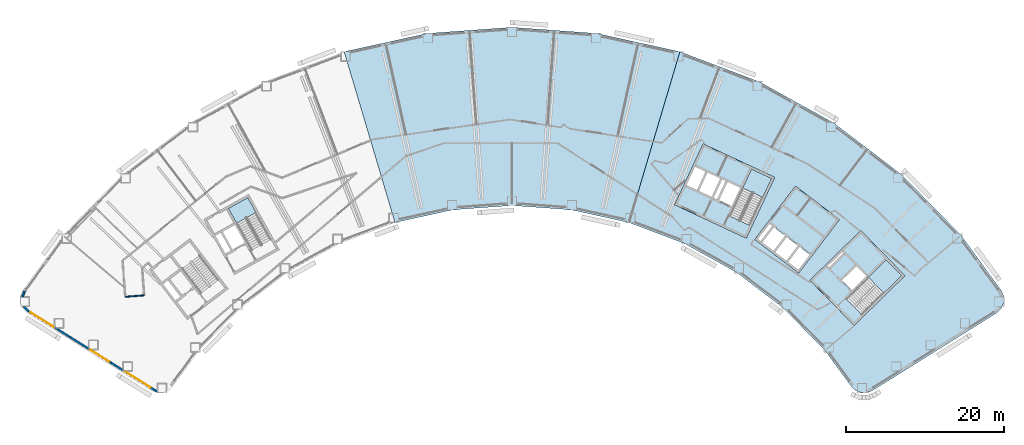
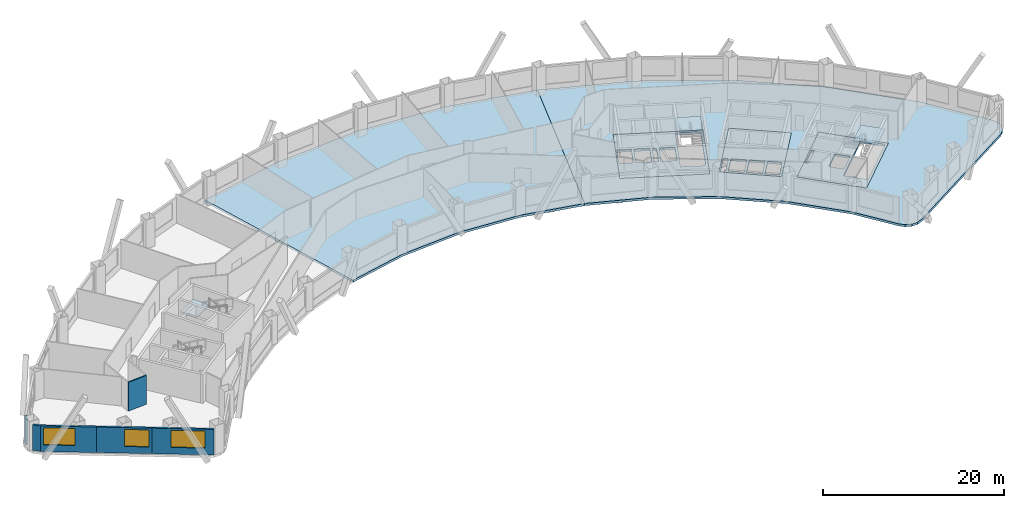
# One storey, part 2 of 11: 8 slabs, 6 walls, 3 windows, 3 openings, 3 elements without a shape of their own.
"""IFC4 building model written with IfcOpenShell, lengths in metres."""

import ifcopenshell
import ifcopenshell.guid

model = None  # the IFC model being written
_history = None  # IfcOwnerHistory: only IFC2X3 demands one
_inside = {}  # id of a spatial element -> (the spatial element, [elements in it])
_under = {}  # id of a project, library or spatial element -> (it, [spatial elements below it])
_declared = {}  # id of a project -> (the project, [libraries it declares])
_typed = {}  # id of a type object -> (the type object, [elements of that type])
_made_of = {}  # id of a material, layer set ... -> (it, [elements and type objects made of it])


def new_model(schema):
    """Start an empty IFC model of exactly this schema.

    Asked for "IFC4X3", IfcOpenShell would pick the latest addendum, in which some entities
    have other attributes; the version numbers below select the first issue.
    IFC2X3 requires an IfcOwnerHistory on every rooted entity: one is made here for all.
    """
    global model, _history
    if schema == "IFC4X3":
        model = ifcopenshell.file(schema_version=(4, 3, 0, 0))
    else:
        model = ifcopenshell.file(schema=schema)
    _inside.clear()
    _under.clear()
    _declared.clear()
    _typed.clear()
    _made_of.clear()
    _history = None
    if model.schema == "IFC2X3":
        org = make("IfcOrganization", Name="unknown")
        user = make(
            "IfcPersonAndOrganization",
            ThePerson=make("IfcPerson", FamilyName="unknown"),
            TheOrganization=org,
        )
        app = make(
            "IfcApplication",
            ApplicationDeveloper=org,
            Version="unknown",
            ApplicationFullName="unknown",
            ApplicationIdentifier="unknown",
        )
        _history = make(
            "IfcOwnerHistory",
            OwningUser=user,
            OwningApplication=app,
            ChangeAction="ADDED",
            CreationDate=0,
        )
    return model


def make(cls, **values):
    """One entity of the class cls with the attributes given. An attribute that is None is left unset."""
    return model.create_entity(
        cls, **{name: value for name, value in values.items() if value is not None}
    )


def rooted(cls, **values):
    """An entity with a GlobalId (a new one), such as an element, a storey or a relation."""
    return make(cls, GlobalId=ifcopenshell.guid.new(), OwnerHistory=_history, **values)


def si_unit(unit_type, name, prefix=None):
    """IfcSIUnit, for example si_unit("LENGTHUNIT", "METRE", prefix="MILLI")."""
    return make("IfcSIUnit", UnitType=unit_type, Prefix=prefix, Name=name)


def assignment(units):
    """IfcUnitAssignment: the units of a project."""
    return None if units is None else make("IfcUnitAssignment", Units=units)


def point(xyz):
    """IfcCartesianPoint."""
    return None if xyz is None else make("IfcCartesianPoint", Coordinates=xyz)


def direction(xyz):
    """IfcDirection."""
    return None if xyz is None else make("IfcDirection", DirectionRatios=xyz)


def frame(location, z_axis=None, x_axis=None):
    """IfcAxis2Placement3D, a coordinate frame: its origin and axes. An axis left out is left unset."""
    return make(
        "IfcAxis2Placement3D",
        Location=point(location),
        Axis=direction(z_axis),
        RefDirection=direction(x_axis),
    )


def frame_2d(location, x_axis=None):
    """IfcAxis2Placement2D, a coordinate frame in the plane: its origin and x axis."""
    return make(
        "IfcAxis2Placement2D", Location=point(location), RefDirection=direction(x_axis)
    )


def origin():
    """The frame at (0, 0, 0) with its axes left unset."""
    return frame((0.0, 0.0, 0.0))


def place(relative_to, where):
    """IfcLocalPlacement: puts the frame where relative to a parent placement (None: the world)."""
    return make(
        "IfcLocalPlacement", PlacementRelTo=relative_to, RelativePlacement=where
    )


def context(
    kind, dimensions, precision=None, world=None, true_north=None, identifier=None
):
    """IfcGeometricRepresentationContext, for example the 3D "Model" context."""
    return make(
        "IfcGeometricRepresentationContext",
        ContextIdentifier=identifier,
        ContextType=kind,
        CoordinateSpaceDimension=dimensions,
        Precision=precision,
        WorldCoordinateSystem=world,
        TrueNorth=true_north,
    )


def subcontext(parent, identifier, kind, view, scale=None):
    """IfcGeometricRepresentationSubContext, for example "Body" below "Model"."""
    return make(
        "IfcGeometricRepresentationSubContext",
        ContextIdentifier=identifier,
        ContextType=kind,
        ParentContext=parent,
        TargetScale=scale,
        TargetView=view,
    )


def project(units=None, contexts=None):
    """IfcProject with its units and contexts."""
    return rooted(
        "IfcProject",
        Name="project",
        RepresentationContexts=contexts,
        UnitsInContext=assignment(units),
    )


def spatial(cls, under=None, at=None, **own):
    """A site, building, storey or space (cls), placed at a placement, below another one or the project."""
    s = rooted(cls, ObjectPlacement=at, **own)
    if under is not None:
        _under.setdefault(under.id(), (under, []))[1].append(s)
    return s


def polyline(points):
    """IfcPolyline through the points."""
    return make("IfcPolyline", Points=[point(p) for p in points])


def profile(cls, at=None, kind="AREA", **sizes):
    """A parametric profile (cls). Its sizes go by their IFC names, for example OverallWidth=200.0."""
    return make(cls, ProfileType=kind, Position=at, **sizes)


def rectangle(**sizes):
    """IfcRectangleProfileDef."""
    return profile("IfcRectangleProfileDef", **sizes)


def outline(outer, holes=None, kind="AREA"):
    """IfcArbitraryClosedProfileDef: a profile drawn as a closed curve; with holes, ...WithVoids."""
    if holes is None:
        return make("IfcArbitraryClosedProfileDef", ProfileType=kind, OuterCurve=outer)
    return make(
        "IfcArbitraryProfileDefWithVoids",
        ProfileType=kind,
        OuterCurve=outer,
        InnerCurves=holes,
    )


def extrude(swept, where, along, depth):
    """IfcExtrudedAreaSolid: the profile swept, set in the frame where, extruded along a direction by depth."""
    return make(
        "IfcExtrudedAreaSolid",
        SweptArea=swept,
        Position=where,
        ExtrudedDirection=direction(along),
        Depth=depth,
    )


def shape(context_of_items, identifier, shape_type, items):
    """IfcShapeRepresentation: the items that make up one representation, for example the "Body"."""
    return make(
        "IfcShapeRepresentation",
        ContextOfItems=context_of_items,
        RepresentationIdentifier=identifier,
        RepresentationType=shape_type,
        Items=items,
    )


def material(Name=None, Category=None):
    """IfcMaterial."""
    return make("IfcMaterial", Name=Name, Category=Category)


def layer(
    of_material, thickness, ventilated=None, Name=None, Category=None, Priority=None
):
    """IfcMaterialLayer: one layer of a wall or slab, of a material (None: an air gap)."""
    return make(
        "IfcMaterialLayer",
        Material=of_material,
        LayerThickness=thickness,
        IsVentilated=ventilated,
        Name=Name,
        Category=Category,
        Priority=Priority,
    )


def layer_set(layers, Name=None):
    """IfcMaterialLayerSet."""
    return make("IfcMaterialLayerSet", MaterialLayers=layers, LayerSetName=Name)


def made_of(thing, what):
    """Note that an element or type object is made of a material, layer set ...; save() writes the relation."""
    if what is not None:
        _made_of.setdefault(what.id(), (what, []))[1].append(thing)
    return thing


def type_object(cls, material=None, **own):
    """A type object (cls), such as IfcWallType, which elements share."""
    return made_of(rooted(cls, **own), material)


def element(
    cls,
    number,
    at=None,
    inside=None,
    cuts=None,
    type_object=None,
    material=None,
    context=None,
    identifier="Body",
    shape_type=None,
    held_by="IfcProductDefinitionShape",
    body=None,
    shapes=None,
    **own,
):
    """One element of the class cls, such as IfcWall. Its Tag is "e" and its number.

    at: its placement. inside: the storey or other place that contains it. cuts: it is an
    opening in that element (IfcRelVoidsElement). A single representation is given by context,
    identifier, shape_type and body (its items); several are given by shapes. held_by: the class
    of the entity that holds the representations. save() writes the other relations.
    """
    e = rooted(cls, Tag="e%d" % number, ObjectPlacement=at, **own)
    if body is not None:
        shapes = [shape(context, identifier, shape_type, body)]
    if shapes is not None:
        e.Representation = make(held_by, Representations=shapes)
    if inside is not None:
        _inside.setdefault(inside.id(), (inside, []))[1].append(e)
    if cuts is not None:
        rooted(
            "IfcRelVoidsElement", RelatingBuildingElement=cuts, RelatedOpeningElement=e
        )
    if type_object is not None:
        _typed.setdefault(type_object.id(), (type_object, []))[1].append(e)
    return made_of(e, material)


def fill(opening, filler):
    """IfcRelFillsElement: the door or window that sits in an opening."""
    return rooted(
        "IfcRelFillsElement",
        RelatingOpeningElement=opening,
        RelatedBuildingElement=filler,
    )


def aggregate(whole, parts):
    """IfcRelAggregates: a whole, such as a stair, and the parts it consists of."""
    return rooted("IfcRelAggregates", RelatingObject=whole, RelatedObjects=parts)


def save(model, path):
    """Write the relations noted so far, then the file.

    IfcRelAggregates (storeys below a building ...), IfcRelContainedInSpatialStructure (elements
    in a storey), IfcRelDefinesByType, IfcRelAssociatesMaterial and IfcRelDeclares: one each for
    every whole, place, type object, material and project.
    """
    for whole, parts in _under.values():
        aggregate(whole, parts)
    for where, things in _inside.values():
        rooted(
            "IfcRelContainedInSpatialStructure",
            RelatedElements=things,
            RelatingStructure=where,
        )
    for kind, things in _typed.values():
        rooted("IfcRelDefinesByType", RelatedObjects=things, RelatingType=kind)
    for what, things in _made_of.values():
        rooted("IfcRelAssociatesMaterial", RelatedObjects=things, RelatingMaterial=what)
    for by, libraries in _declared.values():
        rooted("IfcRelDeclares", RelatingContext=by, RelatedDefinitions=libraries)
    model.write(path)


model = new_model("IFC4")

# Units and contexts
model_context = context("Model", 3, precision=1e-05, world=origin(), true_north=direction((0.0, 1.0)))
body_context = subcontext(model_context, "Body", "Model", "MODEL_VIEW")
ifc_project = project(units=[si_unit("LENGTHUNIT", "METRE"), si_unit("AREAUNIT", "SQUARE_METRE"), si_unit("VOLUMEUNIT", "CUBIC_METRE"), si_unit("PLANEANGLEUNIT", "RADIAN"), si_unit("MASSUNIT", "GRAM", prefix="KILO")], contexts=[model_context])

# Site, building, storey
site_placement = place(None, origin())
site = spatial("IfcSite", under=ifc_project, at=site_placement, CompositionType="ELEMENT")
building_placement = place(site_placement, origin())
building = spatial("IfcBuilding", under=site, at=building_placement, Name="Tuul Gate Civic Tower", CompositionType="ELEMENT")
storey_placement = place(building_placement, frame((0.0, 0.0, 65.39990234375)))
storey = spatial("IfcBuildingStorey", under=building, at=storey_placement, Name="Level 14", CompositionType="ELEMENT", Elevation=65.39990234375)

# Slabs
ifc_material_1 = material(Name="Concrete C40/50", Category="concrete")
ifc_layer_1 = layer(ifc_material_1, 0.300048828125)
ifc_layer_set_1 = layer_set([ifc_layer_1], Name="Concrete C40/50")
slab_type_1 = type_object("IfcSlabType", Name="Core floor slab 300", PredefinedType="FLOOR", material=ifc_layer_set_1)
slab_1_placement = place(storey_placement, frame((0.0, 0.0, -0.2998046875)))
element("IfcSlab", 1, at=slab_1_placement, inside=storey, type_object=slab_type_1, Name="FLOOR SLAB", PredefinedType="FLOOR", context=body_context, shape_type="SweptSolid", body=[
    extrude(outline(polyline([(48.117919921875, -18.43310546875), (54.545166015625, -12.1328125), (48.945068359375, -6.419921875), (42.517822265625, -12.719970703125), (48.117919921875, -18.43310546875)]), holes=[polyline([(47.808837890625, -13.974853515625), (49.6298828125, -12.18994140625), (48.40478515625, -10.940185546875), (46.583984375, -12.72509765625), (47.808837890625, -13.974853515625)]), polyline([(44.93896484375, -11.046875), (46.760009765625, -9.261962890625), (46.514892578125, -9.011962890625), (44.69384765625, -10.797119140625), (44.93896484375, -11.046875)]), polyline([(49.086181640625, -17.062744140625), (47.12744140625, -15.064208984375), (52.160888671875, -10.130126953125), (54.11962890625, -12.128662109375), (49.086181640625, -17.062744140625)])]), origin(), (0.0, 0.0, 1.0), 0.2998046875),
])
slab_2_placement = place(storey_placement, frame((0.0, 0.0, -0.2998046875)))
element("IfcSlab", 2, at=slab_2_placement, inside=storey, type_object=slab_type_1, Name="FLOOR SLAB", PredefinedType="FLOOR", context=body_context, shape_type="SweptSolid", body=[
    extrude(outline(polyline([(34.465087890625, -7.385986328125), (38.056884765625, 0.31787109375), (28.993896484375, 4.543701171875), (25.40185546875, -3.159912109375), (34.465087890625, -7.385986328125)]), holes=[polyline([(32.60888671875, -3.32080078125), (33.6865234375, -1.009765625), (32.1005859375, -0.27001953125), (31.02294921875, -2.581298828125), (32.60888671875, -3.32080078125)]), polyline([(30.0712890625, -2.137451171875), (31.14892578125, 0.173583984375), (29.562744140625, 0.9130859375), (28.4853515625, -1.39794921875), (30.0712890625, -2.137451171875)]), polyline([(30.751220703125, -2.454345703125), (31.82861328125, -0.143310546875), (31.4208984375, 0.046875), (30.34326171875, -2.264404296875), (30.751220703125, -2.454345703125)]), polyline([(28.21337890625, -1.27099609375), (29.291015625, 1.0400390625), (27.8408203125, 1.71630859375), (26.76318359375, -0.594970703125), (28.21337890625, -1.27099609375)]), polyline([(34.889892578125, -5.7626953125), (32.353759765625, -4.580078125), (35.120849609375, 1.354736328125), (37.6572265625, 0.17236328125), (34.889892578125, -5.7626953125)])]), origin(), (0.0, 0.0, 1.0), 0.2998046875),
])
ifc_material_2 = material(Name="Concrete C40/50", Category="concrete")
ifc_layer_2 = layer(ifc_material_2, 0.300048828125)
ifc_layer_set_2 = layer_set([ifc_layer_2], Name="Concrete C40/50")
slab_type_2 = type_object("IfcSlabType", Name="Core floor slab 300 non-bearing", PredefinedType="FLOOR", material=ifc_layer_set_2)
slab_3_placement = place(storey_placement, frame((0.0, 0.0, -0.2998046875)))
element("IfcSlab", 3, at=slab_3_placement, inside=storey, type_object=slab_type_2, Name="FLOOR SLAB", PredefinedType="FLOOR", context=body_context, shape_type="SweptSolid", body=[
    extrude(outline(polyline([(41.10107421875, -11.797119140625), (46.25, -5.033935546875), (40.680908203125, -0.79296875), (35.531982421875, -7.555908203125), (41.10107421875, -11.797119140625)]), holes=[polyline([(41.044189453125, -11.37646484375), (42.497802734375, -9.467041015625), (41.22509765625, -8.49755859375), (39.77099609375, -10.4072265625), (41.044189453125, -11.37646484375)]), polyline([(39.532470703125, -10.225341796875), (40.986328125, -8.31591796875), (39.593994140625, -7.255615234375), (38.14013671875, -9.165283203125), (39.532470703125, -10.225341796875)]), polyline([(37.901611328125, -8.9833984375), (39.35546875, -7.073974609375), (37.963134765625, -6.013671875), (36.50927734375, -7.923095703125), (37.901611328125, -8.9833984375)]), polyline([(36.1796875, -7.860595703125), (37.724609375, -5.831787109375), (37.286865234375, -5.49853515625), (35.7421875, -7.527587890625), (36.1796875, -7.860595703125)])]), origin(), (0.0, 0.0, 1.0), 0.2998046875),
])

# Stair, slab
ifc_material_3 = material(Name="Concrete C40/50", Category="concrete")
stair_type = type_object("IfcStairType", Name="Exit stair", PredefinedType="HALF_TURN_STAIR", material=ifc_material_3)
stair_1_placement = place(storey_placement, origin())
stair_1 = element("IfcStair", 4, at=stair_1_placement, inside=storey, type_object=stair_type, Name="Level 14 ST-2", PredefinedType="HALF_TURN_STAIR")
ifc_material_4 = material(Name="Concrete C40/50", Category="concrete")
ifc_layer_3 = layer(ifc_material_4, 0.199951171875)
ifc_layer_set_3 = layer_set([ifc_layer_3], Name="Concrete C40/50")
slab_type_3 = type_object("IfcSlabType", Name="Exit stair landing", PredefinedType="LANDING", material=ifc_layer_set_3)
slab_4_placement = place(storey_placement, frame((0.0, 0.0, 1.900146484375)))
slab_4 = element("IfcSlab", 5, at=slab_4_placement, type_object=slab_type_3, Name="ST-2 landing 1", PredefinedType="LANDING", context=body_context, shape_type="SweptSolid", body=[
    extrude(outline(polyline([(-27.5908203125, -4.138427734375), (-30.041015625, -5.49658203125), (-31.084228515625, -3.61474609375), (-28.6337890625, -2.256591796875), (-27.5908203125, -4.138427734375)])), origin(), (0.0, 0.0, 1.0), 0.199951171875),
])
aggregate(stair_1, [slab_4])

stair_2_placement = place(storey_placement, origin())
stair_2 = element("IfcStair", 6, at=stair_2_placement, inside=storey, type_object=stair_type, Name="Level 14 ST-3", PredefinedType="HALF_TURN_STAIR")
slab_5_placement = place(storey_placement, frame((0.0, 0.0, 1.900146484375)))
slab_5 = element("IfcSlab", 7, at=slab_5_placement, type_object=slab_type_3, Name="ST-3 landing 1", PredefinedType="LANDING", context=body_context, shape_type="SweptSolid", body=[
    extrude(outline(polyline([(51.871337890625, -14.3349609375), (49.91015625, -12.334228515625), (52.160888671875, -10.1279296875), (54.1220703125, -12.128662109375), (51.871337890625, -14.3349609375)])), origin(), (0.0, 0.0, 1.0), 0.199951171875),
])
aggregate(stair_2, [slab_5])

stair_3_placement = place(storey_placement, origin())
stair_3 = element("IfcStair", 8, at=stair_3_placement, inside=storey, type_object=stair_type, Name="Level 14 ST-4", PredefinedType="HALF_TURN_STAIR")
slab_6_placement = place(storey_placement, frame((0.0, 0.0, 1.900146484375)))
slab_6 = element("IfcSlab", 9, at=slab_6_placement, type_object=slab_type_3, Name="ST-4 landing 1", PredefinedType="LANDING", context=body_context, shape_type="SweptSolid", body=[
    extrude(outline(polyline([(36.538818359375, -2.230224609375), (33.999755859375, -1.046142578125), (35.1201171875, 1.35693359375), (37.659423828125, 0.173095703125), (36.538818359375, -2.230224609375)])), origin(), (0.0, 0.0, 1.0), 0.199951171875),
])
aggregate(stair_3, [slab_6])

# Slabs
ifc_material_5 = material(Name="Concrete C35/45", Category="concrete")
ifc_layer_4 = layer(ifc_material_5, 0.300048828125)
ifc_layer_set_4 = layer_set([ifc_layer_4], Name="Concrete C35/45")
slab_type_4 = type_object("IfcSlabType", Name="STR-FLOOR-SLAB-300", PredefinedType="FLOOR", material=ifc_layer_set_4)
slab_7_placement = place(storey_placement, frame((0.0, 0.0, -0.2998046875)))
element("IfcSlab", 10, at=slab_7_placement, inside=storey, type_object=slab_type_4, Name="Level 14/slab/M", PredefinedType="FLOOR", context=body_context, shape_type="SweptSolid", body=[
    extrude(outline(polyline([(19.6220703125, -5.407958984375), (26.055908203125, 16.214111328125), (15.5439453125, 18.531005859375), (4.80810546875, 19.30810546875), (-5.927978515625, 18.531005859375), (-16.43994140625, 16.214111328125), (-10.006103515625, -5.407958984375), (-2.677001953125, -3.79296875), (4.80810546875, -3.2509765625), (12.29296875, -3.79296875), (19.6220703125, -5.407958984375)])), origin(), (0.0, 0.0, 1.0), 0.2998046875),
])
slab_8_placement = place(storey_placement, frame((0.0, 0.0, -0.2998046875)))
element("IfcSlab", 11, at=slab_8_placement, inside=storey, type_object=slab_type_4, Name="Level 14/slab/E", PredefinedType="FLOOR", context=body_context, shape_type="SweptSolid", body=[
    extrude(outline(polyline([(49.739990234375, -26.950927734375), (50.43408203125, -26.680908203125), (66.1640625, -16.85205078125), (66.75390625, -16.2880859375), (67.068115234375, -15.534912109375), (67.055908203125, -14.718994140625), (66.719970703125, -13.97607421875), (61.638916015625, -7.02001953125), (54.10400390625, 0.6669921875), (45.5400390625, 7.18798828125), (36.125, 12.406982421875), (26.055908203125, 16.214111328125), (19.6220703125, -5.407958984375), (26.64208984375, -8.06298828125), (33.2060546875, -11.700927734375), (39.177001953125, -16.2470703125), (44.429931640625, -21.60693359375), (47.760009765625, -26.1650390625), (48.302978515625, -26.674072265625), (48.9951171875, -26.948974609375), (49.739990234375, -26.950927734375)]), holes=[polyline([(48.117919921875, -18.43310546875), (42.51806640625, -12.719970703125), (48.945068359375, -6.419921875), (54.544921875, -12.133056640625), (48.117919921875, -18.43310546875)]), polyline([(35.531982421875, -7.555908203125), (40.680908203125, -0.79296875), (46.25, -5.033935546875), (41.10107421875, -11.797119140625), (35.531982421875, -7.555908203125)]), polyline([(25.402099609375, -3.159912109375), (28.993896484375, 4.5439453125), (38.056884765625, 0.318115234375), (34.465087890625, -7.385986328125), (25.402099609375, -3.159912109375)])]), origin(), (0.0, 0.0, 1.0), 0.2998046875),
])

# Walls
ifc_material_6 = material(Name="Gypsum board partition")
ifc_layer_5 = layer(ifc_material_6, 0.14990234375)
ifc_layer_set_5 = layer_set([ifc_layer_5], Name="Gypsum board partition")
wall_type_1 = type_object("IfcWallType", Name="Corridor wall P150", PredefinedType="PARTITIONING", material=ifc_layer_set_5)
wall_1_placement = place(storey_placement, frame((-44.14306640625, -14.803466796875, 0.0), z_axis=(0.0, 0.0, 1.0), x_axis=(0.997162391705, 0.075280572318, 0.0)))
element("IfcWall", 12, at=wall_1_placement, inside=storey, type_object=wall_type_1, Name="p051", PredefinedType="PARTITIONING", context=body_context, shape_type="SweptSolid", body=[
    extrude(rectangle(XDim=2.39990234375, YDim=0.14990234375, at=frame_2d((1.199951171875, 0.0))), origin(), (0.0, 0.0, 1.0), 3.900146484375),
])
ifc_material_7 = material(Name="Precast concrete C40/50", Category="concrete")
ifc_layer_6 = layer(ifc_material_7, 0.25)
ifc_layer_set_6 = layer_set([ifc_layer_6], Name="Precast concrete C40/50")
wall_type_2 = type_object("IfcWallType", Name="External wall", PredefinedType="STANDARD", material=ifc_layer_set_6)
wall_2_placement = place(storey_placement, frame((-56.8681640625, -14.116455078125, 0.0), z_axis=(0.0, 0.0, 1.0), x_axis=(-0.412280175097, -0.911057109748, 0.0)))
element("IfcWall", 13, at=wall_2_placement, inside=storey, type_object=wall_type_2, Name="External wall", PredefinedType="STANDARD", context=body_context, shape_type="SweptSolid", body=[
    extrude(rectangle(XDim=0.7734375, YDim=0.25, at=frame_2d((0.38671875, 0.0))), origin(), (0.0, 0.0, 1.0), 3.4501953125),
])
wall_3_placement = place(storey_placement, frame((-57.022216796875, -16.02099609375, 0.0), z_axis=(0.0, 0.0, 1.0), x_axis=(0.722079843393, -0.691809728007, 0.0)))
element("IfcWall", 14, at=wall_3_placement, inside=storey, type_object=wall_type_2, Name="External wall", PredefinedType="STANDARD", context=body_context, shape_type="SweptSolid", body=[
    extrude(rectangle(XDim=0.88720703125, YDim=0.25, at=frame_2d((0.443603515625, 0.0))), origin(), (0.0, 0.0, 1.0), 3.4501953125),
])

# Wall, opening, window
wall_4_placement = place(storey_placement, frame((-56.40185546875, -16.618896484375, 0.0), z_axis=(0.0, 0.0, 1.0), x_axis=(0.848053758074, -0.529910203164, 0.0)))
wall_4 = element("IfcWall", 15, at=wall_4_placement, inside=storey, type_object=wall_type_2, Name="External wall", PredefinedType="STANDARD", context=body_context, shape_type="SweptSolid", body=[
    extrude(rectangle(XDim=6.182861328125, YDim=0.25, at=frame_2d((3.09130859375, 0.0))), origin(), (0.0, 0.0, 1.0), 3.4501953125),
])
opening_1_placement = place(wall_4_placement, frame((0.319091796875, 0.0, 0.89990234375)))
opening_1 = element("IfcOpeningElement", 16, at=opening_1_placement, cuts=wall_4, Name="Opening W74", PredefinedType="OPENING", context=body_context, shape_type="SweptSolid", body=[
    extrude(rectangle(XDim=3.5, YDim=2.300048828125, at=frame_2d((1.75, 1.14990234375))), frame((0.0, 0.135009765625, 0.0), z_axis=(0.0, -1.0, 0.0), x_axis=(1.0, 0.0, 0.0)), (0.0, 0.0, 1.0), 0.27001953125),
])
ifc_material_8 = material(Name="Glass", Category="glass")
window_type_1 = type_object("IfcWindowType", Name="Window 3500 x 2300", PartitioningType="SINGLE_PANEL", PredefinedType="WINDOW", material=ifc_material_8)
window_1_placement = place(opening_1_placement, origin())
window_1 = element("IfcWindow", 17, at=window_1_placement, inside=storey, type_object=window_type_1, Name="Window", OverallHeight=2.300048828125, OverallWidth=3.5, PartitioningType="SINGLE_PANEL", PredefinedType="WINDOW", context=body_context, shape_type="SweptSolid", body=[
    extrude(rectangle(XDim=3.5, YDim=2.300048828125, at=frame_2d((1.75, 1.14990234375))), frame((0.0, 0.030029296875, 0.0), z_axis=(0.0, -1.0, 0.0), x_axis=(1.0, 0.0, 0.0)), (0.0, 0.0, 1.0), 0.06005859375),
])
fill(opening_1, window_1)

wall_5_placement = place(storey_placement, frame((-51.158447265625, -19.895263671875, 0.0), z_axis=(0.0, 0.0, 1.0), x_axis=(0.848053758074, -0.529910203164, 0.0)))
wall_5 = element("IfcWall", 18, at=wall_5_placement, inside=storey, type_object=wall_type_2, Name="External wall", PredefinedType="STANDARD", context=body_context, shape_type="SweptSolid", body=[
    extrude(rectangle(XDim=6.182861328125, YDim=0.25, at=frame_2d((3.09130859375, 0.0))), origin(), (0.0, 0.0, 1.0), 3.4501953125),
])
opening_2_placement = place(wall_5_placement, frame((3.10302734375, 0.0, 0.89990234375)))
opening_2 = element("IfcOpeningElement", 19, at=opening_2_placement, cuts=wall_5, Name="Opening W30", PredefinedType="OPENING", context=body_context, shape_type="SweptSolid", body=[
    extrude(rectangle(XDim=2.75, YDim=2.300048828125, at=frame_2d((1.375, 1.14990234375))), frame((0.0, 0.135009765625, 0.0), z_axis=(0.0, -1.0, 0.0), x_axis=(1.0, 0.0, 0.0)), (0.0, 0.0, 1.0), 0.27001953125),
])
ifc_material_9 = material(Name="Glass", Category="glass")
window_type_2 = type_object("IfcWindowType", Name="Window 2750 x 2300", PartitioningType="SINGLE_PANEL", PredefinedType="WINDOW", material=ifc_material_9)
window_2_placement = place(opening_2_placement, origin())
window_2 = element("IfcWindow", 20, at=window_2_placement, inside=storey, type_object=window_type_2, Name="Window", OverallHeight=2.300048828125, OverallWidth=2.75, PartitioningType="SINGLE_PANEL", PredefinedType="WINDOW", context=body_context, shape_type="SweptSolid", body=[
    extrude(rectangle(XDim=2.75, YDim=2.300048828125, at=frame_2d((1.375, 1.14990234375))), frame((0.0, 0.030029296875, 0.0), z_axis=(0.0, -1.0, 0.0), x_axis=(1.0, 0.0, 0.0)), (0.0, 0.0, 1.0), 0.06005859375),
])
fill(opening_2, window_2)

wall_6_placement = place(storey_placement, frame((-45.9150390625, -23.171630859375, 0.0), z_axis=(0.0, 0.0, 1.0), x_axis=(0.848052242305, -0.529912628951, 0.0)))
wall_6 = element("IfcWall", 21, at=wall_6_placement, inside=storey, type_object=wall_type_2, Name="External wall", PredefinedType="STANDARD", context=body_context, shape_type="SweptSolid", body=[
    extrude(rectangle(XDim=6.865234375, YDim=0.25, at=frame_2d((3.4326171875, 0.0))), origin(), (0.0, 0.0, 1.0), 3.4501953125),
])
opening_3_placement = place(wall_6_placement, frame((2.06591796875, 0.0, 0.89990234375)))
opening_3 = element("IfcOpeningElement", 22, at=opening_3_placement, cuts=wall_6, Name="Opening W100", PredefinedType="OPENING", context=body_context, shape_type="SweptSolid", body=[
    extrude(rectangle(XDim=3.800048828125, YDim=2.300048828125, at=frame_2d((1.89990234375, 1.14990234375))), frame((0.0, 0.135009765625, 0.0), z_axis=(0.0, -1.0, 0.0), x_axis=(1.0, 0.0, 0.0)), (0.0, 0.0, 1.0), 0.27001953125),
])
ifc_material_10 = material(Name="Glass", Category="glass")
window_type_3 = type_object("IfcWindowType", Name="Window W100 3800 x 2300", PartitioningType="SINGLE_PANEL", PredefinedType="WINDOW", material=ifc_material_10)
window_3_placement = place(opening_3_placement, origin())
window_3 = element("IfcWindow", 23, at=window_3_placement, inside=storey, type_object=window_type_3, Name="Window", OverallHeight=2.300048828125, OverallWidth=3.800048828125, PartitioningType="SINGLE_PANEL", PredefinedType="WINDOW", context=body_context, shape_type="SweptSolid", body=[
    extrude(rectangle(XDim=3.800048828125, YDim=2.300048828125, at=frame_2d((1.89990234375, 1.14990234375))), frame((0.0, 0.030029296875, 0.0), z_axis=(0.0, -1.0, 0.0), x_axis=(1.0, 0.0, 0.0)), (0.0, 0.0, 1.0), 0.06005859375),
])
fill(opening_3, window_3)

save(model, "model.ifc")
